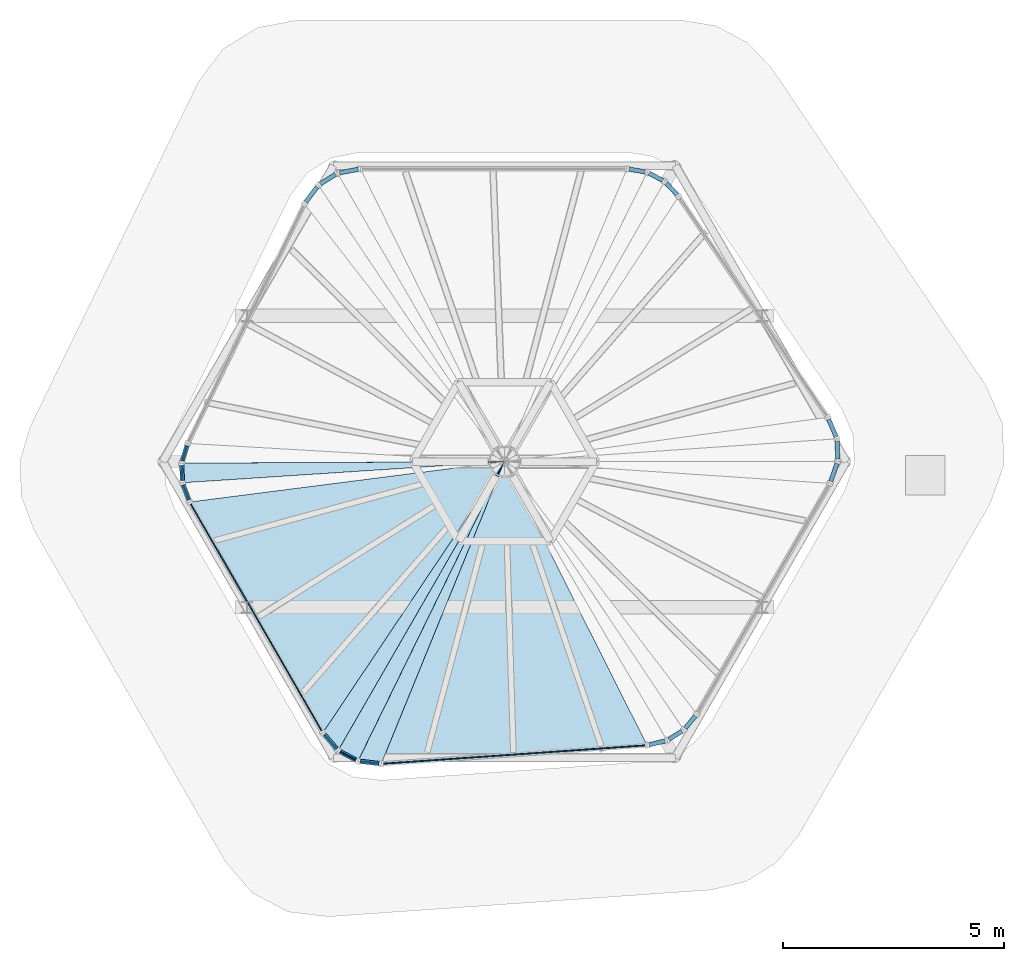
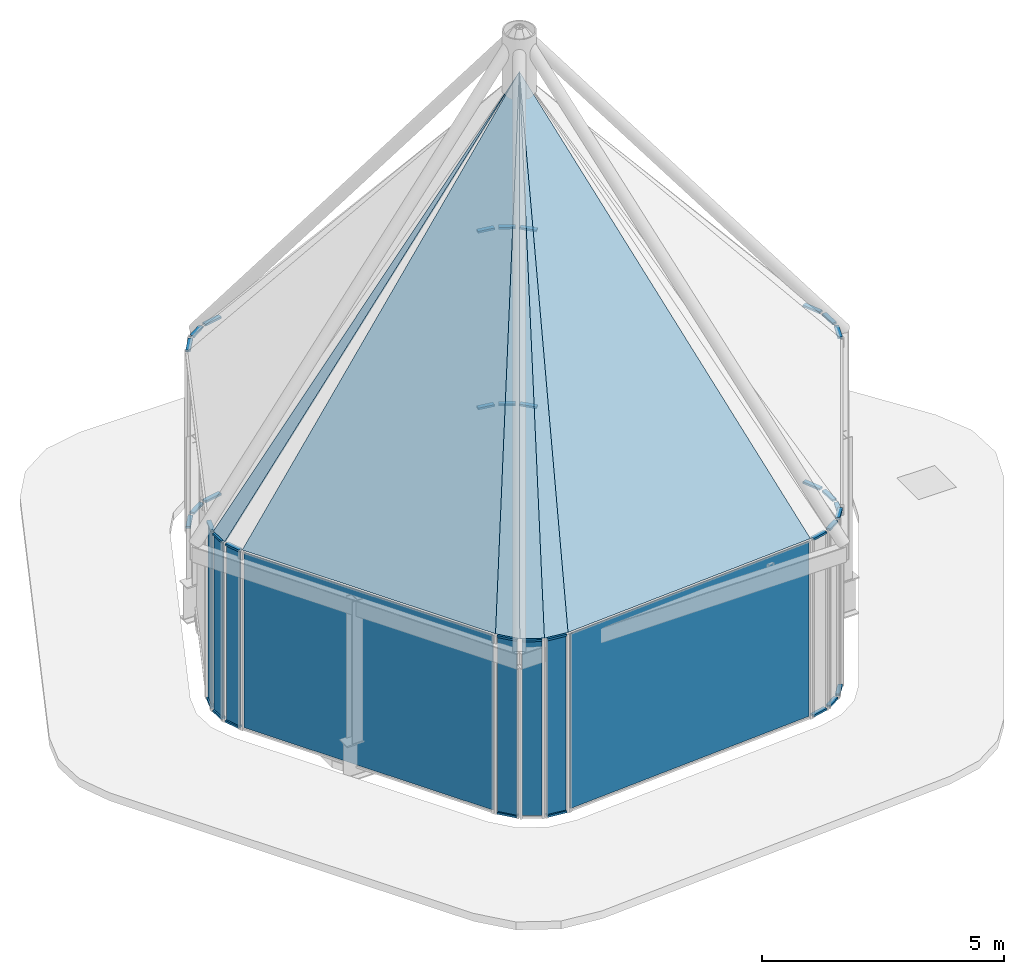
# One storey, part 3 of 4: 35 members, 14 plates, 26 elements without a shape of their own.
"""IFC4 building model written with IfcOpenShell, lengths in metres."""

from ifc_helpers import new_model, si_unit, direction, frame, origin, origin_2d, place, context, subcontext, project, spatial, polyline, rectangle, outline, extrude, material, layer, layer_set, material_profile, profile_set, type_object, element, aggregate, save


model = new_model("IFC4")

# Units and contexts
model_context = context("Model", 3, precision=1e-05, world=origin(), true_north=direction((0.0, 1.0)))
body_context = subcontext(model_context, "Body", "Model", "MODEL_VIEW")
ifc_project = project(units=[si_unit("LENGTHUNIT", "METRE"), si_unit("AREAUNIT", "SQUARE_METRE"), si_unit("VOLUMEUNIT", "CUBIC_METRE"), si_unit("PLANEANGLEUNIT", "RADIAN"), si_unit("MASSUNIT", "GRAM", prefix="KILO")], contexts=[model_context])

# Site, building, storey
site_placement = place(None, origin())
site = spatial("IfcSite", under=ifc_project, at=site_placement, CompositionType="ELEMENT")
building_placement = place(site_placement, origin())
building = spatial("IfcBuilding", under=site, at=building_placement, Name="Tarnside Tower", CompositionType="ELEMENT")
storey_placement = place(building_placement, frame((0.0, 0.0, 410.699951171875)))
storey = spatial("IfcBuildingStorey", under=building, at=storey_placement, Name="L97", CompositionType="ELEMENT", Elevation=410.699951171875)

# Curtain wall, members
ifc_material_1 = material(Name="Crown glazing wall", Category="glass")
curtain_wall_type_1 = type_object("IfcCurtainWallType", Name="Crown glazing wall", PredefinedType="NOTDEFINED", material=ifc_material_1)
curtain_wall_1_placement = place(storey_placement, origin())
curtain_wall_1 = element("IfcCurtainWall", 1, at=curtain_wall_1_placement, inside=storey, type_object=curtain_wall_type_1, Name="Crown glazing L97 01", PredefinedType="NOTDEFINED")
ifc_material_2 = material(Name="Aluminium alloy 6063", Category="aluminium")
ifc_material_profile = material_profile(ifc_material_2, rectangle(XDim=0.10009765625, YDim=0.050048828125, at=origin_2d()), Name="Crown glazing transom 50 x 100")
ifc_profile_set = profile_set([ifc_material_profile], Name="Aluminium alloy 6063")
member_type = type_object("IfcMemberType", Name="Crown glazing transom 50 x 100", PredefinedType="USERDEFINED", material=ifc_profile_set)
member_1_placement = place(storey_placement, frame((2.82275390625, 6.621826171875, 0.025146484375), z_axis=(0.986806645902, -0.161903192073, 0.0), x_axis=(0.161903192073, 0.986806645902, 0.0)))
member_1 = element("IfcMember", 2, at=member_1_placement, type_object=member_type, Name="CW6 transom 1.1", ObjectType="TRANSOM", PredefinedType="USERDEFINED", context=body_context, shape_type="SweptSolid", body=[
    extrude(rectangle(XDim=0.10009765625, YDim=0.050048828125, at=origin_2d()), origin(), (0.0, 0.0, 1.0), 0.364990234375),
])
member_2_placement = place(storey_placement, frame((2.82275390625, 6.621826171875, 4.47509765625), z_axis=(0.986806645902, -0.161903192073, 0.0), x_axis=(0.161903192073, 0.986806645902, 0.0)))
member_2 = element("IfcMember", 3, at=member_2_placement, type_object=member_type, Name="CW6 transom 1.2", ObjectType="TRANSOM", PredefinedType="USERDEFINED", context=body_context, shape_type="SweptSolid", body=[
    extrude(rectangle(XDim=0.10009765625, YDim=0.050048828125, at=origin_2d()), origin(), (0.0, 0.0, 1.0), 0.364990234375),
])
aggregate(curtain_wall_1, [member_1, member_2])

curtain_wall_2_placement = place(storey_placement, origin())
curtain_wall_2 = element("IfcCurtainWall", 4, at=curtain_wall_2_placement, inside=storey, type_object=curtain_wall_type_1, Name="Crown glazing L97 02", PredefinedType="NOTDEFINED")
member_3_placement = place(storey_placement, frame((3.2763671875, 6.53125, 0.025146484375), z_axis=(0.882878599866, -0.469601296739, 0.0), x_axis=(0.469601296739, 0.882878599866, 0.0)))
member_3 = element("IfcMember", 5, at=member_3_placement, type_object=member_type, Name="CW6 transom 1.1", ObjectType="TRANSOM", PredefinedType="USERDEFINED", context=body_context, shape_type="SweptSolid", body=[
    extrude(rectangle(XDim=0.10009765625, YDim=0.050048828125, at=origin_2d()), origin(), (0.0, 0.0, 1.0), 0.3466796875),
])
member_4_placement = place(storey_placement, frame((3.2763671875, 6.53125, 4.47509765625), z_axis=(0.882878599866, -0.469601296739, 0.0), x_axis=(0.469601296739, 0.882878599866, 0.0)))
member_4 = element("IfcMember", 6, at=member_4_placement, type_object=member_type, Name="CW6 transom 1.2", ObjectType="TRANSOM", PredefinedType="USERDEFINED", context=body_context, shape_type="SweptSolid", body=[
    extrude(rectangle(XDim=0.10009765625, YDim=0.050048828125, at=origin_2d()), origin(), (0.0, 0.0, 1.0), 0.3466796875),
])
aggregate(curtain_wall_2, [member_3, member_4])

curtain_wall_3_placement = place(storey_placement, origin())
curtain_wall_3 = element("IfcCurtainWall", 7, at=curtain_wall_3_placement, inside=storey, type_object=curtain_wall_type_1, Name="Crown glazing L97 03", PredefinedType="NOTDEFINED")
member_5_placement = place(storey_placement, frame((3.660888671875, 6.30859375, 0.025146484375), z_axis=(0.68640741032, -0.72721720762, 0.0), x_axis=(0.72721720762, 0.68640741032, 0.0)))
member_5 = element("IfcMember", 8, at=member_5_placement, type_object=member_type, Name="CW6 transom 1.1", ObjectType="TRANSOM", PredefinedType="USERDEFINED", context=body_context, shape_type="SweptSolid", body=[
    extrude(rectangle(XDim=0.10009765625, YDim=0.050048828125, at=origin_2d()), origin(), (0.0, 0.0, 1.0), 0.364990234375),
])
member_6_placement = place(storey_placement, frame((3.660888671875, 6.30859375, 4.47509765625), z_axis=(0.68640741032, -0.72721720762, 0.0), x_axis=(0.72721720762, 0.68640741032, 0.0)))
member_6 = element("IfcMember", 9, at=member_6_placement, type_object=member_type, Name="CW6 transom 1.2", ObjectType="TRANSOM", PredefinedType="USERDEFINED", context=body_context, shape_type="SweptSolid", body=[
    extrude(rectangle(XDim=0.10009765625, YDim=0.050048828125, at=origin_2d()), origin(), (0.0, 0.0, 1.0), 0.364990234375),
])
aggregate(curtain_wall_3, [member_5, member_6])

curtain_wall_4_placement = place(storey_placement, origin())
curtain_wall_4 = element("IfcCurtainWall", 10, at=curtain_wall_4_placement, inside=storey, type_object=curtain_wall_type_1, Name="Crown glazing L97 05", PredefinedType="NOTDEFINED")
member_7_placement = place(storey_placement, frame((7.33935546875, 0.958740234375, 0.025146484375), z_axis=(0.39610987448, -0.918203118781, 0.0), x_axis=(0.918203118781, 0.39610987448, 0.0)))
member_7 = element("IfcMember", 11, at=member_7_placement, type_object=member_type, Name="CW6 transom 1.1", ObjectType="TRANSOM", PredefinedType="USERDEFINED", context=body_context, shape_type="SweptSolid", body=[
    extrude(rectangle(XDim=0.10009765625, YDim=0.050048828125, at=origin_2d()), origin(), (0.0, 0.0, 1.0), 0.43017578125),
])
member_8_placement = place(storey_placement, frame((7.33935546875, 0.958740234375, 4.47509765625), z_axis=(0.39610987448, -0.918203118781, 0.0), x_axis=(0.918203118781, 0.39610987448, 0.0)))
member_8 = element("IfcMember", 12, at=member_8_placement, type_object=member_type, Name="CW6 transom 1.2", ObjectType="TRANSOM", PredefinedType="USERDEFINED", context=body_context, shape_type="SweptSolid", body=[
    extrude(rectangle(XDim=0.10009765625, YDim=0.050048828125, at=origin_2d()), origin(), (0.0, 0.0, 1.0), 0.43017578125),
])
aggregate(curtain_wall_4, [member_7, member_8])

curtain_wall_5_placement = place(storey_placement, origin())
curtain_wall_5 = element("IfcCurtainWall", 13, at=curtain_wall_5_placement, inside=storey, type_object=curtain_wall_type_1, Name="Crown glazing L97 06", PredefinedType="NOTDEFINED")
member_9_placement = place(storey_placement, frame((7.53125, 0.4677734375, 0.025146484375), z_axis=(0.035181071787, -0.999380954485, 0.0), x_axis=(0.999380954485, 0.035181071787, 0.0)))
member_9 = element("IfcMember", 14, at=member_9_placement, type_object=member_type, Name="CW6 transom 1.1", ObjectType="TRANSOM", PredefinedType="USERDEFINED", context=body_context, shape_type="SweptSolid", body=[
    extrude(rectangle(XDim=0.10009765625, YDim=0.050048828125, at=origin_2d()), origin(), (0.0, 0.0, 1.0), 0.409423828125),
])
member_10_placement = place(storey_placement, frame((7.53125, 0.4677734375, 4.47509765625), z_axis=(0.035181071787, -0.999380954485, 0.0), x_axis=(0.999380954485, 0.035181071787, 0.0)))
member_10 = element("IfcMember", 15, at=member_10_placement, type_object=member_type, Name="CW6 transom 1.2", ObjectType="TRANSOM", PredefinedType="USERDEFINED", context=body_context, shape_type="SweptSolid", body=[
    extrude(rectangle(XDim=0.10009765625, YDim=0.050048828125, at=origin_2d()), origin(), (0.0, 0.0, 1.0), 0.409423828125),
])
aggregate(curtain_wall_5, [member_9, member_10])

curtain_wall_6_placement = place(storey_placement, origin())
curtain_wall_6 = element("IfcCurtainWall", 16, at=curtain_wall_6_placement, inside=storey, type_object=curtain_wall_type_1, Name="Crown glazing L97 07", PredefinedType="NOTDEFINED")
member_11_placement = place(storey_placement, frame((7.53076171875, -0.03857421875, 0.025146484375), z_axis=(-0.330830639762, -0.943690143953, 0.0), x_axis=(0.943690143953, -0.330830639762, 0.0)))
member_11 = element("IfcMember", 17, at=member_11_placement, type_object=member_type, Name="CW6 transom 1.1", ObjectType="TRANSOM", PredefinedType="USERDEFINED", context=body_context, shape_type="SweptSolid", body=[
    extrude(rectangle(XDim=0.10009765625, YDim=0.050048828125, at=origin_2d()), origin(), (0.0, 0.0, 1.0), 0.43017578125),
])
member_12_placement = place(storey_placement, frame((7.53076171875, -0.03857421875, 4.47509765625), z_axis=(-0.330830639762, -0.943690143953, 0.0), x_axis=(0.943690143953, -0.330830639762, 0.0)))
member_12 = element("IfcMember", 18, at=member_12_placement, type_object=member_type, Name="CW6 transom 1.2", ObjectType="TRANSOM", PredefinedType="USERDEFINED", context=body_context, shape_type="SweptSolid", body=[
    extrude(rectangle(XDim=0.10009765625, YDim=0.050048828125, at=origin_2d()), origin(), (0.0, 0.0, 1.0), 0.43017578125),
])
aggregate(curtain_wall_6, [member_11, member_12])

curtain_wall_7_placement = place(storey_placement, origin())
curtain_wall_7 = element("IfcCurtainWall", 19, at=curtain_wall_7_placement, inside=storey, type_object=curtain_wall_type_1, Name="Crown glazing L97 09", PredefinedType="NOTDEFINED")
member_13_placement = place(storey_placement, frame((4.3232421875, -5.755615234375, 0.025146484375), z_axis=(-0.633711396531, -0.77356956113, 0.0), x_axis=(0.77356956113, -0.633711396531, 0.0)))
member_13 = element("IfcMember", 20, at=member_13_placement, type_object=member_type, Name="CW6 transom 1.1", ObjectType="TRANSOM", PredefinedType="USERDEFINED", context=body_context, shape_type="SweptSolid", body=[
    extrude(rectangle(XDim=0.10009765625, YDim=0.050048828125, at=origin_2d()), origin(), (0.0, 0.0, 1.0), 0.36474609375),
])
member_14_placement = place(storey_placement, frame((4.3232421875, -5.755615234375, 4.47509765625), z_axis=(-0.633711396531, -0.77356956113, 0.0), x_axis=(0.77356956113, -0.633711396531, 0.0)))
member_14 = element("IfcMember", 21, at=member_14_placement, type_object=member_type, Name="CW6 transom 1.2", ObjectType="TRANSOM", PredefinedType="USERDEFINED", context=body_context, shape_type="SweptSolid", body=[
    extrude(rectangle(XDim=0.10009765625, YDim=0.050048828125, at=origin_2d()), origin(), (0.0, 0.0, 1.0), 0.36474609375),
])
aggregate(curtain_wall_7, [member_13, member_14])

curtain_wall_8_placement = place(storey_placement, origin())
curtain_wall_8 = element("IfcCurtainWall", 22, at=curtain_wall_8_placement, inside=storey, type_object=curtain_wall_type_1, Name="Crown glazing L97 10", PredefinedType="NOTDEFINED")
member_15_placement = place(storey_placement, frame((4.01806640625, -6.10302734375, 0.025146484375), z_axis=(-0.848354082095, -0.52942926949, 0.0), x_axis=(0.52942926949, -0.848354082095, 0.0)))
member_15 = element("IfcMember", 23, at=member_15_placement, type_object=member_type, Name="CW6 transom 1.1", ObjectType="TRANSOM", PredefinedType="USERDEFINED", context=body_context, shape_type="SweptSolid", body=[
    extrude(rectangle(XDim=0.10009765625, YDim=0.050048828125, at=origin_2d()), origin(), (0.0, 0.0, 1.0), 0.3466796875),
])
member_16_placement = place(storey_placement, frame((4.01806640625, -6.10302734375, 4.47509765625), z_axis=(-0.848354082095, -0.52942926949, 0.0), x_axis=(0.52942926949, -0.848354082095, 0.0)))
member_16 = element("IfcMember", 24, at=member_16_placement, type_object=member_type, Name="CW6 transom 1.2", ObjectType="TRANSOM", PredefinedType="USERDEFINED", context=body_context, shape_type="SweptSolid", body=[
    extrude(rectangle(XDim=0.10009765625, YDim=0.050048828125, at=origin_2d()), origin(), (0.0, 0.0, 1.0), 0.3466796875),
])
aggregate(curtain_wall_8, [member_15, member_16])

curtain_wall_9_placement = place(storey_placement, origin())
curtain_wall_9 = element("IfcCurtainWall", 25, at=curtain_wall_9_placement, inside=storey, type_object=curtain_wall_type_1, Name="Crown glazing L97 11", PredefinedType="NOTDEFINED")
member_17_placement = place(storey_placement, frame((3.6328125, -6.32470703125, 0.025146484375), z_axis=(-0.972985423206, -0.230866555025, 0.0), x_axis=(0.230866555025, -0.972985423206, 0.0)))
member_17 = element("IfcMember", 26, at=member_17_placement, type_object=member_type, Name="CW6 transom 1.1", ObjectType="TRANSOM", PredefinedType="USERDEFINED", context=body_context, shape_type="SweptSolid", body=[
    extrude(rectangle(XDim=0.10009765625, YDim=0.050048828125, at=origin_2d()), origin(), (0.0, 0.0, 1.0), 0.36474609375),
])
member_18_placement = place(storey_placement, frame((3.6328125, -6.32470703125, 4.47509765625), z_axis=(-0.972985423206, -0.230866555025, 0.0), x_axis=(0.230866555025, -0.972985423206, 0.0)))
member_18 = element("IfcMember", 27, at=member_18_placement, type_object=member_type, Name="CW6 transom 1.2", ObjectType="TRANSOM", PredefinedType="USERDEFINED", context=body_context, shape_type="SweptSolid", body=[
    extrude(rectangle(XDim=0.10009765625, YDim=0.050048828125, at=origin_2d()), origin(), (0.0, 0.0, 1.0), 0.36474609375),
])
aggregate(curtain_wall_9, [member_17, member_18])

curtain_wall_10_placement = place(storey_placement, origin())
curtain_wall_10 = element("IfcCurtainWall", 28, at=curtain_wall_10_placement, inside=storey, type_object=curtain_wall_type_1, Name="Crown glazing L97 13", PredefinedType="NOTDEFINED")
member_19_placement = place(storey_placement, frame((-2.83935546875, -6.83544921875, 0.025146484375), z_axis=(-0.993208592186, 0.116347292227, 0.0), x_axis=(-0.116347292227, -0.993208592186, 0.0)))
member_19 = element("IfcMember", 29, at=member_19_placement, type_object=member_type, Name="CW6 transom 1.1", ObjectType="TRANSOM", PredefinedType="USERDEFINED", context=body_context, shape_type="SweptSolid", body=[
    extrude(rectangle(XDim=0.10009765625, YDim=0.050048828125, at=origin_2d()), origin(), (0.0, 0.0, 1.0), 0.43017578125),
])
member_20_placement = place(storey_placement, frame((-2.83935546875, -6.83544921875, 4.47509765625), z_axis=(-0.993208592186, 0.116347292227, 0.0), x_axis=(-0.116347292227, -0.993208592186, 0.0)))
member_20 = element("IfcMember", 30, at=member_20_placement, type_object=member_type, Name="CW6 transom 1.2", ObjectType="TRANSOM", PredefinedType="USERDEFINED", context=body_context, shape_type="SweptSolid", body=[
    extrude(rectangle(XDim=0.10009765625, YDim=0.050048828125, at=origin_2d()), origin(), (0.0, 0.0, 1.0), 0.43017578125),
])

# Curtain wall, member
curtain_wall_11_placement = place(storey_placement, origin())
curtain_wall_11 = element("IfcCurtainWall", 31, at=curtain_wall_11_placement, inside=storey, type_object=curtain_wall_type_1, Name="Crown glazing L97 14", PredefinedType="NOTDEFINED")
member_21_placement = place(storey_placement, frame((-3.360595703125, -6.756103515625, 4.47509765625), z_axis=(-0.88293027169, 0.469504137716, 0.0), x_axis=(-0.469504137716, -0.88293027169, 0.0)))
member_21 = element("IfcMember", 32, at=member_21_placement, type_object=member_type, Name="CW6 transom 1.2", ObjectType="TRANSOM", PredefinedType="USERDEFINED", context=body_context, shape_type="SweptSolid", body=[
    extrude(rectangle(XDim=0.10009765625, YDim=0.050048828125, at=origin_2d()), origin(), (0.0, 0.0, 1.0), 0.4091796875),
])

# Curtain wall, members
curtain_wall_12_placement = place(storey_placement, origin())
curtain_wall_12 = element("IfcCurtainWall", 33, at=curtain_wall_12_placement, inside=storey, type_object=curtain_wall_type_1, Name="Crown glazing L97 15", PredefinedType="NOTDEFINED")
member_22_placement = place(storey_placement, frame((-3.798828125, -6.502685546875, 0.025146484375), z_axis=(-0.651445381149, 0.758695535363, 0.0), x_axis=(-0.758695535363, -0.651445381149, 0.0)))
member_22 = element("IfcMember", 34, at=member_22_placement, type_object=member_type, Name="CW6 transom 1.1", ObjectType="TRANSOM", PredefinedType="USERDEFINED", context=body_context, shape_type="SweptSolid", body=[
    extrude(rectangle(XDim=0.10009765625, YDim=0.050048828125, at=origin_2d()), origin(), (0.0, 0.0, 1.0), 0.43017578125),
])
member_23_placement = place(storey_placement, frame((-3.798828125, -6.502685546875, 4.47509765625), z_axis=(-0.651445381149, 0.758695535363, 0.0), x_axis=(-0.758695535363, -0.651445381149, 0.0)))
member_23 = element("IfcMember", 35, at=member_23_placement, type_object=member_type, Name="CW6 transom 1.2", ObjectType="TRANSOM", PredefinedType="USERDEFINED", context=body_context, shape_type="SweptSolid", body=[
    extrude(rectangle(XDim=0.10009765625, YDim=0.050048828125, at=origin_2d()), origin(), (0.0, 0.0, 1.0), 0.43017578125),
])

curtain_wall_13_placement = place(storey_placement, origin())
curtain_wall_13 = element("IfcCurtainWall", 36, at=curtain_wall_13_placement, inside=storey, type_object=curtain_wall_type_1, Name="Crown glazing L97 17", PredefinedType="NOTDEFINED")
member_24_placement = place(storey_placement, frame((-7.146240234375, -0.8662109375, 0.025146484375), z_axis=(-0.35273664603, 0.935722639754, 0.0), x_axis=(-0.935722639754, -0.35273664603, 0.0)))
member_24 = element("IfcMember", 37, at=member_24_placement, type_object=member_type, Name="CW6 transom 1.1", ObjectType="TRANSOM", PredefinedType="USERDEFINED", context=body_context, shape_type="SweptSolid", body=[
    extrude(rectangle(XDim=0.10009765625, YDim=0.050048828125, at=origin_2d()), origin(), (0.0, 0.0, 1.0), 0.36474609375),
])
member_25_placement = place(storey_placement, frame((-7.146240234375, -0.8662109375, 4.47509765625), z_axis=(-0.35273664603, 0.935722639754, 0.0), x_axis=(-0.935722639754, -0.35273664603, 0.0)))
member_25 = element("IfcMember", 38, at=member_25_placement, type_object=member_type, Name="CW6 transom 1.2", ObjectType="TRANSOM", PredefinedType="USERDEFINED", context=body_context, shape_type="SweptSolid", body=[
    extrude(rectangle(XDim=0.10009765625, YDim=0.050048828125, at=origin_2d()), origin(), (0.0, 0.0, 1.0), 0.36474609375),
])

curtain_wall_14_placement = place(storey_placement, origin())
curtain_wall_14 = element("IfcCurtainWall", 39, at=curtain_wall_14_placement, inside=storey, type_object=curtain_wall_type_1, Name="Crown glazing L97 18", PredefinedType="NOTDEFINED")
member_26_placement = place(storey_placement, frame((-7.29443359375, -0.42822265625, 0.025146484375), z_axis=(-0.034510790653, 0.99940432525, 0.0), x_axis=(-0.99940432525, -0.034510790653, 0.0)))
member_26 = element("IfcMember", 40, at=member_26_placement, type_object=member_type, Name="CW6 transom 1.1", ObjectType="TRANSOM", PredefinedType="USERDEFINED", context=body_context, shape_type="SweptSolid", body=[
    extrude(rectangle(XDim=0.10009765625, YDim=0.050048828125, at=origin_2d()), origin(), (0.0, 0.0, 1.0), 0.3466796875),
])
member_27_placement = place(storey_placement, frame((-7.29443359375, -0.42822265625, 4.47509765625), z_axis=(-0.034510790653, 0.99940432525, 0.0), x_axis=(-0.99940432525, -0.034510790653, 0.0)))
member_27 = element("IfcMember", 41, at=member_27_placement, type_object=member_type, Name="CW6 transom 1.2", ObjectType="TRANSOM", PredefinedType="USERDEFINED", context=body_context, shape_type="SweptSolid", body=[
    extrude(rectangle(XDim=0.10009765625, YDim=0.050048828125, at=origin_2d()), origin(), (0.0, 0.0, 1.0), 0.3466796875),
])

curtain_wall_15_placement = place(storey_placement, origin())
curtain_wall_15 = element("IfcCurtainWall", 42, at=curtain_wall_15_placement, inside=storey, type_object=curtain_wall_type_1, Name="Crown glazing L97 19", PredefinedType="NOTDEFINED")
member_28_placement = place(storey_placement, frame((-7.293701171875, 0.01611328125, 0.025146484375), z_axis=(0.28636560092, 0.958120421769, 0.0), x_axis=(-0.958120421769, 0.28636560092, 0.0)))
member_28 = element("IfcMember", 43, at=member_28_placement, type_object=member_type, Name="CW6 transom 1.1", ObjectType="TRANSOM", PredefinedType="USERDEFINED", context=body_context, shape_type="SweptSolid", body=[
    extrude(rectangle(XDim=0.10009765625, YDim=0.050048828125, at=origin_2d()), origin(), (0.0, 0.0, 1.0), 0.364990234375),
])
member_29_placement = place(storey_placement, frame((-7.293701171875, 0.01611328125, 4.47509765625), z_axis=(0.28636560092, 0.958120421769, 0.0), x_axis=(-0.958120421769, 0.28636560092, 0.0)))
member_29 = element("IfcMember", 44, at=member_29_placement, type_object=member_type, Name="CW6 transom 1.2", ObjectType="TRANSOM", PredefinedType="USERDEFINED", context=body_context, shape_type="SweptSolid", body=[
    extrude(rectangle(XDim=0.10009765625, YDim=0.050048828125, at=origin_2d()), origin(), (0.0, 0.0, 1.0), 0.364990234375),
])

curtain_wall_16_placement = place(storey_placement, origin())
curtain_wall_16 = element("IfcCurtainWall", 45, at=curtain_wall_16_placement, inside=storey, type_object=curtain_wall_type_1, Name="Crown glazing L97 21", PredefinedType="NOTDEFINED")
member_30_placement = place(storey_placement, frame((-4.5, 5.876708984375, 0.025146484375), z_axis=(0.597180679189, 0.802106748758, 0.0), x_axis=(-0.802106748758, 0.597180679189, 0.0)))
member_30 = element("IfcMember", 46, at=member_30_placement, type_object=member_type, Name="CW6 transom 1.1", ObjectType="TRANSOM", PredefinedType="USERDEFINED", context=body_context, shape_type="SweptSolid", body=[
    extrude(rectangle(XDim=0.10009765625, YDim=0.050048828125, at=origin_2d()), origin(), (0.0, 0.0, 1.0), 0.43017578125),
])
member_31_placement = place(storey_placement, frame((-4.5, 5.876708984375, 4.47509765625), z_axis=(0.597180679189, 0.802106748758, 0.0), x_axis=(-0.802106748758, 0.597180679189, 0.0)))
member_31 = element("IfcMember", 47, at=member_31_placement, type_object=member_type, Name="CW6 transom 1.2", ObjectType="TRANSOM", PredefinedType="USERDEFINED", context=body_context, shape_type="SweptSolid", body=[
    extrude(rectangle(XDim=0.10009765625, YDim=0.050048828125, at=origin_2d()), origin(), (0.0, 0.0, 1.0), 0.43017578125),
])
aggregate(curtain_wall_16, [member_30, member_31])

curtain_wall_17_placement = place(storey_placement, origin())
curtain_wall_17 = element("IfcCurtainWall", 48, at=curtain_wall_17_placement, inside=storey, type_object=curtain_wall_type_1, Name="Crown glazing L97 22", PredefinedType="NOTDEFINED")
member_32_placement = place(storey_placement, frame((-4.1708984375, 6.288330078125, 0.025146484375), z_axis=(0.848098737116, 0.529838213139, 0.0), x_axis=(-0.529838213139, 0.848098737116, 0.0)))
member_32 = element("IfcMember", 49, at=member_32_placement, type_object=member_type, Name="CW6 transom 1.1", ObjectType="TRANSOM", PredefinedType="USERDEFINED", context=body_context, shape_type="SweptSolid", body=[
    extrude(rectangle(XDim=0.10009765625, YDim=0.050048828125, at=origin_2d()), origin(), (0.0, 0.0, 1.0), 0.40966796875),
])
member_33_placement = place(storey_placement, frame((-4.1708984375, 6.288330078125, 4.47509765625), z_axis=(0.848098737116, 0.529838213139, 0.0), x_axis=(-0.529838213139, 0.848098737116, 0.0)))
member_33 = element("IfcMember", 50, at=member_33_placement, type_object=member_type, Name="CW6 transom 1.2", ObjectType="TRANSOM", PredefinedType="USERDEFINED", context=body_context, shape_type="SweptSolid", body=[
    extrude(rectangle(XDim=0.10009765625, YDim=0.050048828125, at=origin_2d()), origin(), (0.0, 0.0, 1.0), 0.40966796875),
])
aggregate(curtain_wall_17, [member_32, member_33])

curtain_wall_18_placement = place(storey_placement, origin())
curtain_wall_18 = element("IfcCurtainWall", 51, at=curtain_wall_18_placement, inside=storey, type_object=curtain_wall_type_1, Name="Crown glazing L97 23", PredefinedType="NOTDEFINED")
member_34_placement = place(storey_placement, frame((-3.73193359375, 6.541015625, 0.025146484375), z_axis=(0.982640193796, 0.185521560838, 0.0), x_axis=(-0.185521560838, 0.982640193796, 0.0)))
member_34 = element("IfcMember", 52, at=member_34_placement, type_object=member_type, Name="CW6 transom 1.1", ObjectType="TRANSOM", PredefinedType="USERDEFINED", context=body_context, shape_type="SweptSolid", body=[
    extrude(rectangle(XDim=0.10009765625, YDim=0.050048828125, at=origin_2d()), origin(), (0.0, 0.0, 1.0), 0.430419921875),
])
member_35_placement = place(storey_placement, frame((-3.73193359375, 6.541015625, 4.47509765625), z_axis=(0.982640193796, 0.185521560838, 0.0), x_axis=(-0.185521560838, 0.982640193796, 0.0)))
member_35 = element("IfcMember", 53, at=member_35_placement, type_object=member_type, Name="CW6 transom 1.2", ObjectType="TRANSOM", PredefinedType="USERDEFINED", context=body_context, shape_type="SweptSolid", body=[
    extrude(rectangle(XDim=0.10009765625, YDim=0.050048828125, at=origin_2d()), origin(), (0.0, 0.0, 1.0), 0.430419921875),
])
aggregate(curtain_wall_18, [member_34, member_35])

# Plate
ifc_material_3 = material(Name="Low-iron safety glass", Category="glass")
ifc_layer_1 = layer(ifc_material_3, 0.028076171875)
ifc_layer_set_1 = layer_set([ifc_layer_1], Name="Crown glazing panel 28")
plate_type_1 = type_object("IfcPlateType", Name="Crown glazing panel 28", PredefinedType="CURTAIN_PANEL", material=ifc_layer_set_1)
plate_1_placement = place(storey_placement, frame((-3.052978515625, -6.810546875, 0.050048828125), z_axis=(0.0, 0.0, 1.0), x_axis=(-0.993238357832, 0.116092913351, 0.0)))
plate_1 = element("IfcPlate", 54, at=plate_1_placement, type_object=plate_type_1, Name="CW6 panel 1.1", PredefinedType="CURTAIN_PANEL", context=body_context, shape_type="SweptSolid", body=[
    extrude(rectangle(XDim=0.430419921875, YDim=0.028076171875, at=origin_2d()), origin(), (0.0, 0.0, 1.0), 4.39990234375),
])

aggregate(curtain_wall_10, [member_19, member_20, plate_1])

plate_2_placement = place(storey_placement, frame((-3.541259765625, -6.66015625, 0.050048828125), z_axis=(0.0, 0.0, 1.0), x_axis=(-0.882947592965, 0.469471562586, 0.0)))
plate_2 = element("IfcPlate", 55, at=plate_2_placement, type_object=plate_type_1, Name="CW6 panel 1.1", PredefinedType="CURTAIN_PANEL", context=body_context, shape_type="SweptSolid", body=[
    extrude(rectangle(XDim=0.409423828125, YDim=0.028076171875, at=origin_2d()), origin(), (0.0, 0.0, 1.0), 4.39990234375),
])

aggregate(curtain_wall_11, [member_21, plate_2])

plate_3_placement = place(storey_placement, frame((-3.93896484375, -6.33935546875, 0.050048828125), z_axis=(0.0, 0.0, 1.0), x_axis=(-0.651657227965, 0.758513584084, 0.0)))
plate_3 = element("IfcPlate", 56, at=plate_3_placement, type_object=plate_type_1, Name="CW6 panel 1.1", PredefinedType="CURTAIN_PANEL", context=body_context, shape_type="SweptSolid", body=[
    extrude(rectangle(XDim=0.430419921875, YDim=0.028076171875, at=origin_2d()), origin(), (0.0, 0.0, 1.0), 4.39990234375),
])

aggregate(curtain_wall_12, [member_22, member_23, plate_3])

plate_4_placement = place(storey_placement, frame((-7.21044921875, -0.695556640625, 0.050048828125), z_axis=(0.0, 0.0, 1.0), x_axis=(-0.352930564295, 0.935649515998, 0.0)))
plate_4 = element("IfcPlate", 57, at=plate_4_placement, type_object=plate_type_1, Name="CW6 panel 1.1", PredefinedType="CURTAIN_PANEL", context=body_context, shape_type="SweptSolid", body=[
    extrude(rectangle(XDim=0.36474609375, YDim=0.028076171875, at=origin_2d()), origin(), (0.0, 0.0, 1.0), 4.39990234375),
])

aggregate(curtain_wall_13, [member_24, member_25, plate_4])

plate_5_placement = place(storey_placement, frame((-7.30029296875, -0.2548828125, 0.050048828125), z_axis=(0.0, 0.0, 1.0), x_axis=(-0.034899496685, 0.99939082702, 0.0)))
plate_5 = element("IfcPlate", 58, at=plate_5_placement, type_object=plate_type_1, Name="CW6 panel 1.1", PredefinedType="CURTAIN_PANEL", context=body_context, shape_type="SweptSolid", body=[
    extrude(rectangle(XDim=0.3466796875, YDim=0.028076171875, at=origin_2d()), origin(), (0.0, 0.0, 1.0), 4.39990234375),
])

aggregate(curtain_wall_14, [member_26, member_27, plate_5])

plate_6_placement = place(storey_placement, frame((-7.241455078125, 0.19091796875, 0.050048828125), z_axis=(0.0, 0.0, 1.0), x_axis=(0.286803232416, 0.957989512404, 0.0)))
plate_6 = element("IfcPlate", 59, at=plate_6_placement, type_object=plate_type_1, Name="CW6 panel 1.1", PredefinedType="CURTAIN_PANEL", context=body_context, shape_type="SweptSolid", body=[
    extrude(rectangle(XDim=0.36474609375, YDim=0.028076171875, at=origin_2d()), origin(), (0.0, 0.0, 1.0), 4.39990234375),
])

aggregate(curtain_wall_15, [member_28, member_29, plate_6])

# Curtain wall, plate
curtain_wall_19_placement = place(storey_placement, origin())
curtain_wall_19 = element("IfcCurtainWall", 60, at=curtain_wall_19_placement, inside=storey, type_object=curtain_wall_type_1, Name="Crown glazing L97 12", PredefinedType="NOTDEFINED")
ifc_material_4 = material(Name="Insulated aluminium panel", Category="aluminium")
ifc_layer_2 = layer(ifc_material_4, 0.028076171875)
ifc_layer_set_2 = layer_set([ifc_layer_2], Name="Crown glazing spandrel panel 28")
plate_type_2 = type_object("IfcPlateType", Name="Crown glazing spandrel panel 28", PredefinedType="CURTAIN_PANEL", material=ifc_layer_set_2)
plate_7_placement = place(storey_placement, frame((0.2197265625, -6.630859375, 0.050048828125), z_axis=(0.0, 0.0, 1.0), x_axis=(-0.997564050262, -0.069756473709, 0.0)))
plate_7 = element("IfcPlate", 61, at=plate_7_placement, type_object=plate_type_2, Name="CW6 panel 1.1", PredefinedType="CURTAIN_PANEL", context=body_context, shape_type="SweptSolid", body=[
    extrude(rectangle(XDim=5.93359375, YDim=0.028076171875, at=origin_2d()), origin(), (0.0, 0.0, 1.0), 4.39990234375),
])
aggregate(curtain_wall_19, [plate_7])

curtain_wall_20_placement = place(storey_placement, origin())
curtain_wall_20 = element("IfcCurtainWall", 62, at=curtain_wall_20_placement, inside=storey, type_object=curtain_wall_type_1, Name="Crown glazing L97 16", PredefinedType="NOTDEFINED")
plate_8_placement = place(storey_placement, frame((-5.6201171875, -3.525634765625, 0.050048828125), z_axis=(0.0, 0.0, 1.0), x_axis=(-0.500000000136, 0.866025403706, 0.0)))
plate_8 = element("IfcPlate", 63, at=plate_8_placement, type_object=plate_type_2, Name="CW6 panel 1.1", PredefinedType="CURTAIN_PANEL", context=body_context, shape_type="SweptSolid", body=[
    extrude(rectangle(XDim=5.93359375, YDim=0.028076171875, at=origin_2d()), origin(), (0.0, 0.0, 1.0), 4.39990234375),
])
aggregate(curtain_wall_20, [plate_8])

ifc_material_5 = material(Name="Crown roof glazing", Category="glass")
curtain_wall_type_2 = type_object("IfcCurtainWallType", Name="Crown roof glazing", PredefinedType="NOTDEFINED", material=ifc_material_5)
curtain_wall_21_placement = place(storey_placement, origin())
curtain_wall_21 = element("IfcCurtainWall", 64, at=curtain_wall_21_placement, inside=storey, type_object=curtain_wall_type_2, Name="Crown glass roof facet 05", PredefinedType="NOTDEFINED")
ifc_layer_3 = layer(ifc_material_3, 0.028076171875)
ifc_layer_set_3 = layer_set([ifc_layer_3], Name="Crown roof glass facet 28")
plate_type_3 = type_object("IfcPlateType", Name="Crown roof glass facet 28", PredefinedType="CURTAIN_PANEL", material=ifc_layer_set_3)
plate_9_placement = place(storey_placement, frame((-7.30810546875, -0.03173828125, 4.5), z_axis=(-0.776090286513, -0.027156795154, 0.630036805002), x_axis=(0.03497798047, -0.999388083176, 9.354105e-06)))
plate_9 = element("IfcPlate", 65, at=plate_9_placement, type_object=plate_type_3, Name="Roof facet 05", PredefinedType="CURTAIN_PANEL", context=body_context, shape_type="SweptSolid", body=[
    extrude(outline(polyline([(0.0, 0.0), (0.44656250165925376, 1.734723475976807e-18), (0.22412961392049027, 11.589493129210577), (0.22388562268924608, 11.589498511211234), (0.0, 0.0)])), origin(), (0.0, 0.0, -1.0), 0.028076171875),
])
aggregate(curtain_wall_21, [plate_9])

curtain_wall_22_placement = place(storey_placement, origin())
curtain_wall_22 = element("IfcCurtainWall", 66, at=curtain_wall_22_placement, inside=storey, type_object=curtain_wall_type_2, Name="Crown glass roof facet 07", PredefinedType="NOTDEFINED")
plate_10_placement = place(storey_placement, frame((-7.12841796875, -0.9130859375, 4.5), z_axis=(-0.69736637037, -0.402603601146, 0.592950660529), x_axis=(0.499982474262, -0.866035522031, 3.277565e-06)))
plate_10 = element("IfcPlate", 67, at=plate_10_placement, type_object=plate_type_3, Name="Roof facet 07", PredefinedType="CURTAIN_PANEL", context=body_context, shape_type="SweptSolid", body=[
    extrude(outline(polyline([(0.0, 0.0), (6.033368089476596, 2.220446049250313e-16), (2.774608577427172, 11.176797468520867), (2.7720953371758066, 11.176822036377292), (0.0, 0.0)])), origin(), (0.0, 0.0, -1.0), 0.028076171875),
])
aggregate(curtain_wall_22, [plate_10])

curtain_wall_23_placement = place(storey_placement, origin())
curtain_wall_23 = element("IfcCurtainWall", 68, at=curtain_wall_23_placement, inside=storey, type_object=curtain_wall_type_2, Name="Crown glass roof facet 08", PredefinedType="NOTDEFINED")
plate_11_placement = place(storey_placement, frame((-4.11181640625, -6.13818359375, 4.5), z_axis=(-0.594937827992, -0.511235234849, 0.620231823976), x_axis=(0.651723477675, -0.758456661963, -2.3893391e-05)))
plate_11 = element("IfcPlate", 69, at=plate_11_placement, type_object=plate_type_3, Name="Roof facet 08", PredefinedType="CURTAIN_PANEL", context=body_context, shape_type="SweptSolid", body=[
    extrude(outline(polyline([(0.0, 0.0), (0.5304631404548582, 2.7755575615628914e-17), (-1.9749117938603158, 11.473406192453249), (-1.9752560761209703, 11.47339002405779), (0.0, 0.0)])), origin(), (0.0, 0.0, -1.0), 0.028076171875),
])
aggregate(curtain_wall_23, [plate_11])

curtain_wall_24_placement = place(storey_placement, origin())
curtain_wall_24 = element("IfcCurtainWall", 70, at=curtain_wall_24_placement, inside=storey, type_object=curtain_wall_type_2, Name="Crown glass roof facet 09", PredefinedType="NOTDEFINED")
plate_12_placement = place(storey_placement, frame((-3.76611328125, -6.54052734375, 4.5), z_axis=(-0.359885513135, -0.676805102762, 0.642197220728), x_axis=(0.882892194396, -0.469575724249, -0.000110769527)))
plate_12 = element("IfcPlate", 71, at=plate_12_placement, type_object=plate_type_3, Name="Roof facet 09", PredefinedType="CURTAIN_PANEL", context=body_context, shape_type="SweptSolid", body=[
    extrude(outline(polyline([(0.0, 0.0), (0.5093924882427342, 2.7755575615628914e-17), (0.25298554742519513, 11.74111535581609), (0.25276999757304747, 11.741041714411203), (0.0, 0.0)])), origin(), (0.0, 0.0, -1.0), 0.028076171875),
])
aggregate(curtain_wall_24, [plate_12])

curtain_wall_25_placement = place(storey_placement, origin())
curtain_wall_25 = element("IfcCurtainWall", 72, at=curtain_wall_25_placement, inside=storey, type_object=curtain_wall_type_2, Name="Crown glass roof facet 10", PredefinedType="NOTDEFINED")
plate_13_placement = place(storey_placement, frame((-3.31640625, -6.77978515625, 4.5), z_axis=(-0.090983717115, -0.779138339419, 0.620214004411), x_axis=(0.993250772263, -0.115986651812, 0.0)))
plate_13 = element("IfcPlate", 73, at=plate_13_placement, type_object=plate_type_3, Name="Roof facet 10", PredefinedType="CURTAIN_PANEL", context=body_context, shape_type="SweptSolid", body=[
    extrude(outline(polyline([(0.0, 0.0), (0.5304354987306172, 0.0), (2.5067575119414727, 11.473260264716593), (2.5067575119414727, 11.473260264716593), (0.0, 0.0)])), origin(), (0.0, 0.0, -1.0), 0.028076171875),
])
aggregate(curtain_wall_25, [plate_13])

curtain_wall_26_placement = place(storey_placement, origin())
curtain_wall_26 = element("IfcCurtainWall", 74, at=curtain_wall_26_placement, inside=storey, type_object=curtain_wall_type_2, Name="Crown glass roof facet 11", PredefinedType="NOTDEFINED")
plate_14_placement = place(storey_placement, frame((-2.78955078125, -6.84130859375, 4.5), z_axis=(0.056150791629, -0.803275506932, 0.592954929621), x_axis=(0.997565060769, 0.06974201998, 1.3472508e-05)))
plate_14 = element("IfcPlate", 75, at=plate_14_placement, type_object=plate_type_3, Name="Roof facet 11", PredefinedType="CURTAIN_PANEL", context=body_context, shape_type="SweptSolid", body=[
    extrude(outline(polyline([(0.0, 0.0), (6.033497725974213, 5.551115123125783e-17), (3.2610367631530264, 11.176797836796325), (3.258601301578883, 11.176898824825342), (0.0, 0.0)])), origin(), (0.0, 0.0, -1.0), 0.028076171875),
])
aggregate(curtain_wall_26, [plate_14])

save(model, "model.ifc")
